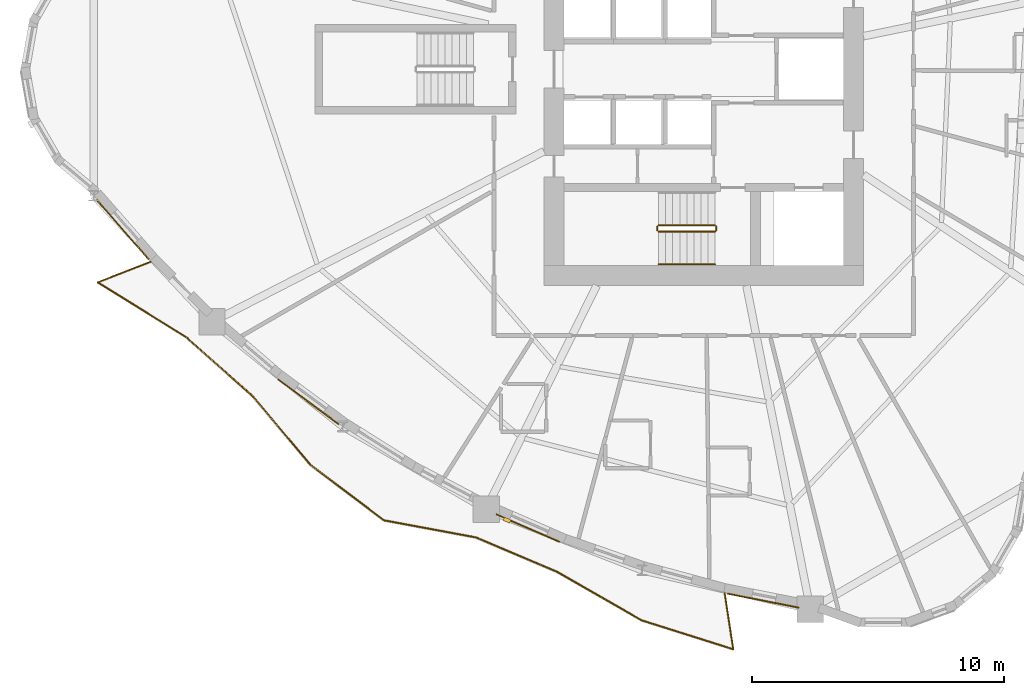
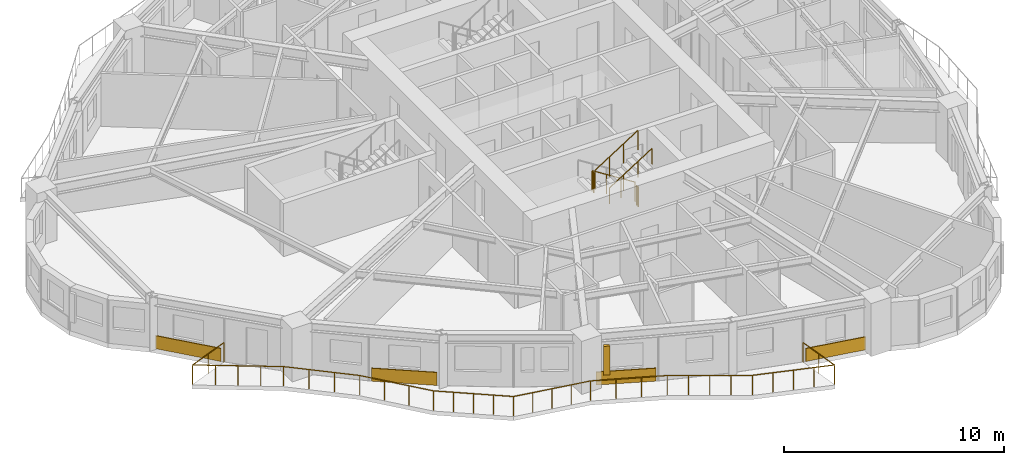
# One storey, part 10 of 13: 6 railings, 4 coverings, 1 shading device.
"""IFC4 building model written with IfcOpenShell, lengths in metres."""

from ifc_helpers import new_model, si_unit, direction, frame, origin, origin_2d, place, context, subcontext, project, spatial, rectangle, circle, extrude, source, transform, mapped, material, layer, layer_set, type_object, element, save


model = new_model("IFC4")

# Units and contexts
model_context = context("Model", 3, precision=1e-05, world=origin(), true_north=direction((0.0, 1.0)))
body_context = subcontext(model_context, "Body", "Model", "MODEL_VIEW")
ifc_project = project(units=[si_unit("LENGTHUNIT", "METRE"), si_unit("AREAUNIT", "SQUARE_METRE"), si_unit("VOLUMEUNIT", "CUBIC_METRE"), si_unit("PLANEANGLEUNIT", "RADIAN"), si_unit("MASSUNIT", "GRAM", prefix="KILO")], contexts=[model_context])

# Site, building, storey
site_placement = place(None, origin())
site = spatial("IfcSite", under=ifc_project, at=site_placement, CompositionType="ELEMENT")
building_placement = place(site_placement, origin())
building = spatial("IfcBuilding", under=site, at=building_placement, Name="Qafzar Sky-Pleat Residences", CompositionType="ELEMENT")
storey_placement = place(building_placement, frame((0.0, 0.0, 49.39990234375)))
storey = spatial("IfcBuildingStorey", under=building, at=storey_placement, Name="L14", CompositionType="ELEMENT", Elevation=49.39990234375)

# Shading device
ifc_material_1 = material(Name="Honed Riyadh limestone solar fin", Category="masonry")
ifc_layer_1 = layer(ifc_material_1, 0.139892578125)
ifc_layer_set_1 = layer_set([ifc_layer_1], Name="Honed Riyadh limestone solar fin")
shading_device_type = type_object("IfcShadingDeviceType", Name="SHD-FIN-STONE", PredefinedType="SHUTTER", material=ifc_layer_set_1)
shared_shape_1 = source(origin(), body_context, "Body", "SweptSolid", [
    extrude(rectangle(XDim=0.139892578125, YDim=0.280029296875, at=origin_2d()), origin(), (0.0, 0.0, 1.0), 1.60009765625),
])
shading_device_placement = place(storey_placement, frame((22.53759765625, 8.084716796875, 0.60009765625), z_axis=(0.0, 0.0, 1.0), x_axis=(-0.398699588189, -0.917081587634, 0.0)))
element("IfcShadingDevice", 1, at=shading_device_placement, inside=storey, type_object=shading_device_type, Name="L14 Limestone Solar Fin 13", PredefinedType="SHUTTER", context=body_context, shape_type="MappedRepresentation", body=[
    mapped(shared_shape_1, transform((0.0, 0.0, 0.0), x_axis=(1.0, 0.0, 0.0), y_axis=(0.0, 1.0, 0.0), z_axis=(0.0, 0.0, 1.0), scale=1.0)),
])

# Covering
ifc_material_2 = material(Name="Honed Riyadh Tuwaiq limestone cladding", Category="masonry")
ifc_layer_2 = layer(ifc_material_2, 0.044921875)
ifc_layer_set_2 = layer_set([ifc_layer_2], Name="Honed Riyadh Tuwaiq limestone cladding")
covering_type = type_object("IfcCoveringType", Name="COV-CLAD-STONE", PredefinedType="CLADDING", material=ifc_layer_set_2)
shared_shape_2 = source(origin(), body_context, "Body", "SweptSolid", [
    extrude(rectangle(XDim=2.994140625, YDim=0.044921875, at=origin_2d()), origin(), (0.0, 0.0, 1.0), 0.719970703125),
])
covering_1_placement = place(storey_placement, frame((14.642578125, 12.789306640625, 0.02001953125), z_axis=(0.0, 0.0, 1.0), x_axis=(0.803807401366, -0.594889621281, 0.0)))
element("IfcCovering", 2, at=covering_1_placement, inside=storey, type_object=covering_type, Name="L14 Riyadh Limestone Spandrel Cladding 10", PredefinedType="CLADDING", context=body_context, shape_type="MappedRepresentation", body=[
    mapped(shared_shape_2, transform((0.0, 0.0, 0.0), x_axis=(1.0, 0.0, 0.0), y_axis=(0.0, 1.0, 0.0), z_axis=(0.0, 0.0, 1.0), scale=1.0)),
])

# Railing
ifc_material_3 = material(Name="Laminated glass and bronze steel balustrade", Category="steel")
railing_type_1 = type_object("IfcRailingType", Name="RAIL-BAL-1100", PredefinedType="BALUSTRADE", material=ifc_material_3)
shared_shape_3 = source(origin(), body_context, "Body", "SweptSolid", [
    extrude(circle(Radius=0.02392578125, at=origin_2d()), frame((0.0, 0.0, 1.076171875), z_axis=(-0.93171786803, -0.363182893862, 0.0), x_axis=(0.363182893862, -0.93171786803, 0.0)), (0.0, 0.0, 1.0), 2.270751953125),
    extrude(circle(Radius=0.02392578125, at=origin_2d()), frame((-2.11572265625, -0.82470703125, 1.076171875), z_axis=(0.850296662272, -0.526303701421, 0.0), x_axis=(0.526303701421, 0.850296662272, 0.0)), (0.0, 0.0, 1.0), 4.127197265625),
    extrude(circle(Radius=0.02392578125, at=origin_2d()), frame((1.3935546875, -2.996826171875, 1.076171875), z_axis=(0.748455111542, -0.663185453706, 0.0), x_axis=(0.663185453706, 0.748455111542, 0.0)), (0.0, 0.0, 1.0), 3.538818359375),
    extrude(circle(Radius=0.02392578125, at=origin_2d()), frame((4.042236328125, -5.34375, 1.076171875), z_axis=(0.643013521092, -0.765854824162, 0.0), x_axis=(0.765854824162, 0.643013521092, 0.0)), (0.0, 0.0, 1.0), 3.5595703125),
    extrude(circle(Radius=0.02392578125, at=origin_2d()), frame((6.3310546875, -8.06982421875, 1.076171875), z_axis=(0.79831114189, -0.602245233053, 0.0), x_axis=(0.602245233053, 0.79831114189, 0.0)), (0.0, 0.0, 1.0), 3.6669921875),
    extrude(circle(Radius=0.02392578125, at=origin_2d()), frame((9.258544921875, -10.2783203125, 1.076171875), z_axis=(0.983148207627, -0.182810289209, 0.0), x_axis=(0.182810289209, 0.983148207627, 0.0)), (0.0, 0.0, 1.0), 3.7099609375),
    extrude(circle(Radius=0.02392578125, at=origin_2d()), frame((12.906005859375, -10.95654296875, 1.076171875), z_axis=(0.920590866575, -0.390528432228, 0.0), x_axis=(0.390528432228, 0.920590866575, 0.0)), (0.0, 0.0, 1.0), 3.513427734375),
    extrude(circle(Radius=0.02392578125, at=origin_2d()), frame((16.140380859375, -12.32861328125, 1.076171875), z_axis=(0.867705978012, -0.497077796449, 0.0), x_axis=(0.497077796449, 0.867705978012, 0.0)), (0.0, 0.0, 1.0), 3.86328125),
    extrude(circle(Radius=0.02392578125, at=origin_2d()), frame((19.49267578125, -14.2490234375, 1.076171875), z_axis=(0.953321364838, -0.301957572093, 0.0), x_axis=(0.301957572093, 0.953321364838, 0.0)), (0.0, 0.0, 1.0), 3.81787109375),
    extrude(circle(Radius=0.02392578125, at=origin_2d()), frame((23.13232421875, -15.40185546875, 1.076171875), z_axis=(-0.151168401391, 0.98850802446, 0.0), x_axis=(-0.98850802446, -0.151168401391, 0.0)), (0.0, 0.0, 1.0), 2.270751953125),
    extrude(circle(Radius=0.02099609375, at=origin_2d()), origin(), (0.0, 0.0, 1.0), 1.052001953125),
    extrude(circle(Radius=0.02099609375, at=origin_2d()), frame((-1.057861328125, -0.412353515625, 0.0)), (0.0, 0.0, 1.0), 1.052001953125),
    extrude(circle(Radius=0.02099609375, at=origin_2d()), frame((-2.11572265625, -0.82470703125, 0.0)), (0.0, 0.0, 1.0), 1.052001953125),
    extrude(circle(Radius=0.02099609375, at=origin_2d()), frame((-1.23828125, -1.36767578125, 0.0)), (0.0, 0.0, 1.0), 1.052001953125),
    extrude(circle(Radius=0.02099609375, at=origin_2d()), frame((-0.361083984375, -1.91064453125, 0.0)), (0.0, 0.0, 1.0), 1.052001953125),
    extrude(circle(Radius=0.02099609375, at=origin_2d()), frame((0.51611328125, -2.453857421875, 0.0)), (0.0, 0.0, 1.0), 1.052001953125),
    extrude(circle(Radius=0.02099609375, at=origin_2d()), frame((1.3935546875, -2.996826171875, 0.0)), (0.0, 0.0, 1.0), 1.052001953125),
    extrude(circle(Radius=0.02099609375, at=origin_2d()), frame((2.2763671875, -3.779052734375, 0.0)), (0.0, 0.0, 1.0), 1.052001953125),
    extrude(circle(Radius=0.02099609375, at=origin_2d()), frame((3.159423828125, -4.5615234375, 0.0)), (0.0, 0.0, 1.0), 1.052001953125),
    extrude(circle(Radius=0.02099609375, at=origin_2d()), frame((4.042236328125, -5.34375, 0.0)), (0.0, 0.0, 1.0), 1.052001953125),
    extrude(circle(Radius=0.02099609375, at=origin_2d()), frame((4.80517578125, -6.25244140625, 0.0)), (0.0, 0.0, 1.0), 1.052001953125),
    extrude(circle(Radius=0.02099609375, at=origin_2d()), frame((5.568115234375, -7.1611328125, 0.0)), (0.0, 0.0, 1.0), 1.052001953125),
    extrude(circle(Radius=0.02099609375, at=origin_2d()), frame((6.3310546875, -8.06982421875, 0.0)), (0.0, 0.0, 1.0), 1.052001953125),
    extrude(circle(Radius=0.02099609375, at=origin_2d()), frame((7.06298828125, -8.6220703125, 0.0)), (0.0, 0.0, 1.0), 1.052001953125),
    extrude(circle(Radius=0.02099609375, at=origin_2d()), frame((7.794921875, -9.174072265625, 0.0)), (0.0, 0.0, 1.0), 1.052001953125),
    extrude(circle(Radius=0.02099609375, at=origin_2d()), frame((8.526611328125, -9.72607421875, 0.0)), (0.0, 0.0, 1.0), 1.052001953125),
    extrude(circle(Radius=0.02099609375, at=origin_2d()), frame((9.258544921875, -10.2783203125, 0.0)), (0.0, 0.0, 1.0), 1.052001953125),
    extrude(circle(Radius=0.02099609375, at=origin_2d()), frame((10.17041015625, -10.44775390625, 0.0)), (0.0, 0.0, 1.0), 1.052001953125),
    extrude(circle(Radius=0.02099609375, at=origin_2d()), frame((11.082275390625, -10.617431640625, 0.0)), (0.0, 0.0, 1.0), 1.052001953125),
    extrude(circle(Radius=0.02099609375, at=origin_2d()), frame((11.994140625, -10.787109375, 0.0)), (0.0, 0.0, 1.0), 1.052001953125),
    extrude(circle(Radius=0.02099609375, at=origin_2d()), frame((12.906005859375, -10.95654296875, 0.0)), (0.0, 0.0, 1.0), 1.052001953125),
    extrude(circle(Radius=0.02099609375, at=origin_2d()), frame((13.984130859375, -11.413818359375, 0.0)), (0.0, 0.0, 1.0), 1.052001953125),
    extrude(circle(Radius=0.02099609375, at=origin_2d()), frame((15.062255859375, -11.871337890625, 0.0)), (0.0, 0.0, 1.0), 1.052001953125),
    extrude(circle(Radius=0.02099609375, at=origin_2d()), frame((16.140380859375, -12.32861328125, 0.0)), (0.0, 0.0, 1.0), 1.052001953125),
    extrude(circle(Radius=0.02099609375, at=origin_2d()), frame((16.978515625, -12.80859375, 0.0)), (0.0, 0.0, 1.0), 1.052001953125),
    extrude(circle(Radius=0.02099609375, at=origin_2d()), frame((17.81640625, -13.288818359375, 0.0)), (0.0, 0.0, 1.0), 1.052001953125),
    extrude(circle(Radius=0.02099609375, at=origin_2d()), frame((18.654541015625, -13.76904296875, 0.0)), (0.0, 0.0, 1.0), 1.052001953125),
    extrude(circle(Radius=0.02099609375, at=origin_2d()), frame((19.49267578125, -14.2490234375, 0.0)), (0.0, 0.0, 1.0), 1.052001953125),
    extrude(circle(Radius=0.02099609375, at=origin_2d()), frame((20.402587890625, -14.537109375, 0.0)), (0.0, 0.0, 1.0), 1.052001953125),
    extrude(circle(Radius=0.02099609375, at=origin_2d()), frame((21.3125, -14.825439453125, 0.0)), (0.0, 0.0, 1.0), 1.052001953125),
    extrude(circle(Radius=0.02099609375, at=origin_2d()), frame((22.222412109375, -15.11376953125, 0.0)), (0.0, 0.0, 1.0), 1.052001953125),
    extrude(circle(Radius=0.02099609375, at=origin_2d()), frame((23.13232421875, -15.40185546875, 0.0)), (0.0, 0.0, 1.0), 1.052001953125),
    extrude(circle(Radius=0.02099609375, at=origin_2d()), frame((22.960693359375, -14.279541015625, 0.0)), (0.0, 0.0, 1.0), 1.052001953125),
    extrude(circle(Radius=0.02099609375, at=origin_2d()), frame((22.7890625, -13.1572265625, 0.0)), (0.0, 0.0, 1.0), 1.052001953125),
])
railing_1_placement = place(storey_placement, frame((8.3935546875, 18.355224609375, 0.0)))
element("IfcRailing", 3, at=railing_1_placement, inside=storey, type_object=railing_type_1, Name="L14 Pleated Balcony 3 Balustrade", PredefinedType="BALUSTRADE", context=body_context, shape_type="MappedRepresentation", body=[
    mapped(shared_shape_3, transform((0.0, 0.0, 0.0), x_axis=(1.0, 0.0, 0.0), y_axis=(0.0, 1.0, 0.0), z_axis=(0.0, 0.0, 1.0), scale=1.0)),
])

# Coverings
shared_shape_4 = source(origin(), body_context, "Body", "SweptSolid", [
    extrude(rectangle(XDim=3.14306640625, YDim=0.044921875, at=origin_2d()), origin(), (0.0, 0.0, 1.0), 0.719970703125),
])
covering_2_placement = place(storey_placement, frame((7.264892578125, 19.632080078125, 0.02001953125), z_axis=(0.0, 0.0, 1.0), x_axis=(0.657622311353, -0.753347791933, 0.0)))
element("IfcCovering", 4, at=covering_2_placement, inside=storey, type_object=covering_type, Name="L14 Riyadh Limestone Spandrel Cladding 7", PredefinedType="CLADDING", context=body_context, shape_type="MappedRepresentation", body=[
    mapped(shared_shape_4, transform((0.0, 0.0, 0.0), x_axis=(1.0, 0.0, 0.0), y_axis=(0.0, 1.0, 0.0), z_axis=(0.0, 0.0, 1.0), scale=1.0)),
])
shared_shape_5 = source(origin(), body_context, "Body", "SweptSolid", [
    extrude(rectangle(XDim=2.7421875, YDim=0.044921875, at=origin_2d()), origin(), (0.0, 0.0, 1.0), 0.719970703125),
])
covering_3_placement = place(storey_placement, frame((23.3662109375, 7.77099609375, 0.02001953125), z_axis=(0.0, 0.0, 1.0), x_axis=(0.917073187075, -0.398718910448, 0.0)))
element("IfcCovering", 5, at=covering_3_placement, inside=storey, type_object=covering_type, Name="L14 Riyadh Limestone Spandrel Cladding 13", PredefinedType="CLADDING", context=body_context, shape_type="MappedRepresentation", body=[
    mapped(shared_shape_5, transform((0.0, 0.0, 0.0), x_axis=(1.0, 0.0, 0.0), y_axis=(0.0, 1.0, 0.0), z_axis=(0.0, 0.0, 1.0), scale=1.0)),
])
shared_shape_6 = source(origin(), body_context, "Body", "SweptSolid", [
    extrude(rectangle(XDim=2.89111328125, YDim=0.044921875, at=origin_2d()), origin(), (0.0, 0.0, 1.0), 0.719970703125),
])
covering_4_placement = place(storey_placement, frame((32.71533203125, 4.885986328125, 0.02001953125), z_axis=(0.0, 0.0, 1.0), x_axis=(0.981234834966, -0.192816489568, 0.0)))
element("IfcCovering", 6, at=covering_4_placement, inside=storey, type_object=covering_type, Name="L14 Riyadh Limestone Spandrel Cladding 16", PredefinedType="CLADDING", context=body_context, shape_type="MappedRepresentation", body=[
    mapped(shared_shape_6, transform((0.0, 0.0, 0.0), x_axis=(1.0, 0.0, 0.0), y_axis=(0.0, 1.0, 0.0), z_axis=(0.0, 0.0, 1.0), scale=1.0)),
])

# Railings
ifc_material_4 = material(Name="Painted Steel S355 stair guardrail", Category="steel")
railing_type_2 = type_object("IfcRailingType", Name="RAIL-STAIR-GUARD", PredefinedType="GUARDRAIL", material=ifc_material_4)
shared_shape_7 = source(origin(), body_context, "Body", "SweptSolid", [
    extrude(circle(Radius=0.02392578125, at=origin_2d()), frame((0.0, 0.0, 1.076171875), z_axis=(0.0, -1.0, 0.0), x_axis=(1.0, 0.0, 0.0)), (0.0, 0.0, 1.0), 0.14990234375),
    extrude(circle(Radius=0.02099609375, at=origin_2d()), origin(), (0.0, 0.0, 1.0), 1.052001953125),
    extrude(circle(Radius=0.02099609375, at=origin_2d()), frame((0.0, -0.14990234375, 0.0)), (0.0, 0.0, 1.0), 1.052001953125),
])
for number, where, name in (
    (7, (28.510009765625, 19.75, 1.60009765625), "L14 ST1 stair guard 2"),
    (8, (30.85009765625, 19.75, 0.0), "L14 ST1 stair guard 4"),
):
    element("IfcRailing", number, at=place(storey_placement, frame(where)), inside=storey, type_object=railing_type_2, Name=name, PredefinedType="GUARDRAIL", context=body_context, shape_type="MappedRepresentation", body=[
        mapped(shared_shape_7, transform((0.0, 0.0, 0.0), x_axis=(1.0, 0.0, 0.0), y_axis=(0.0, 1.0, 0.0), z_axis=(0.0, 0.0, 1.0), scale=1.0)),
    ])
shared_shape_8 = source(origin(), body_context, "Body", "SweptSolid", [
    extrude(circle(Radius=0.02392578125, at=origin_2d()), frame((0.0, 0.0, 1.076171875), z_axis=(-0.8442293374, 0.0, 0.53598211339), x_axis=(0.0, -1.0, 0.0)), (0.0, 0.0, 1.0), 2.6533203125),
    extrude(circle(Radius=0.02099609375, at=origin_2d()), origin(), (0.0, 0.0, 1.0), 1.052001953125),
    extrude(circle(Radius=0.02099609375, at=origin_2d()), frame((-0.74658203125, 0.0, 0.47412109375)), (0.0, 0.0, 1.0), 1.052001953125),
    extrude(circle(Radius=0.02099609375, at=origin_2d()), frame((-1.493408203125, 0.0, 0.947998046875)), (0.0, 0.0, 1.0), 1.052001953125),
    extrude(circle(Radius=0.02099609375, at=origin_2d()), frame((-2.239990234375, 0.0, 1.422119140625)), (0.0, 0.0, 1.0), 1.052001953125),
])
railing_2_placement = place(storey_placement, frame((30.800048828125, 19.800048828125, 0.177978515625)))
element("IfcRailing", 9, at=railing_2_placement, inside=storey, type_object=railing_type_2, Name="L14 ST1 stair guard 1", PredefinedType="GUARDRAIL", context=body_context, shape_type="MappedRepresentation", body=[
    mapped(shared_shape_8, transform((0.0, 0.0, 0.0), x_axis=(1.0, 0.0, 0.0), y_axis=(0.0, 1.0, 0.0), z_axis=(0.0, 0.0, 1.0), scale=1.0)),
])
shared_shape_9 = source(origin(), body_context, "Body", "SweptSolid", [
    extrude(circle(Radius=0.02392578125, at=origin_2d()), frame((0.0, 0.0, 1.076171875), z_axis=(0.84418770128, 0.0, 0.536047689118), x_axis=(0.0, 1.0, 0.0)), (0.0, 0.0, 1.0), 2.6533203125),
    extrude(circle(Radius=0.02099609375, at=origin_2d()), origin(), (0.0, 0.0, 1.0), 1.052001953125),
    extrude(circle(Radius=0.02099609375, at=origin_2d()), frame((0.74658203125, 0.0, 0.47412109375)), (0.0, 0.0, 1.0), 1.052001953125),
    extrude(circle(Radius=0.02099609375, at=origin_2d()), frame((1.493408203125, 0.0, 0.9482421875)), (0.0, 0.0, 1.0), 1.052001953125),
    extrude(circle(Radius=0.02099609375, at=origin_2d()), frame((2.239990234375, 0.0, 1.42236328125)), (0.0, 0.0, 1.0), 1.052001953125),
])
railing_3_placement = place(storey_placement, frame((28.56005859375, 19.550048828125, 1.77783203125)))
element("IfcRailing", 10, at=railing_3_placement, inside=storey, type_object=railing_type_2, Name="L14 ST1 stair guard 3", PredefinedType="GUARDRAIL", context=body_context, shape_type="MappedRepresentation", body=[
    mapped(shared_shape_9, transform((0.0, 0.0, 0.0), x_axis=(1.0, 0.0, 0.0), y_axis=(0.0, 1.0, 0.0), z_axis=(0.0, 0.0, 1.0), scale=1.0)),
])
ifc_material_5 = material(Name="Brushed stainless steel handrail", Category="steel")
railing_type_3 = type_object("IfcRailingType", Name="RAIL-STAIR-HAND", PredefinedType="HANDRAIL", material=ifc_material_5)
shared_shape_10 = source(origin(), body_context, "Body", "SweptSolid", [
    extrude(circle(Radius=0.02392578125, at=origin_2d()), frame((0.0, 0.0, 0.8759765625), z_axis=(0.84418770128, 0.0, 0.536047689118), x_axis=(0.0, 1.0, 0.0)), (0.0, 0.0, 1.0), 2.6533203125),
    extrude(circle(Radius=0.02099609375, at=origin_2d()), origin(), (0.0, 0.0, 1.0), 0.851806640625),
    extrude(circle(Radius=0.02099609375, at=origin_2d()), frame((0.74658203125, 0.0, 0.47412109375)), (0.0, 0.0, 1.0), 0.851806640625),
    extrude(circle(Radius=0.02099609375, at=origin_2d()), frame((1.493408203125, 0.0, 0.9482421875)), (0.0, 0.0, 1.0), 0.851806640625),
    extrude(circle(Radius=0.02099609375, at=origin_2d()), frame((2.239990234375, 0.0, 1.42236328125)), (0.0, 0.0, 1.0), 0.851806640625),
])
railing_4_placement = place(storey_placement, frame((28.56005859375, 18.25, 1.77783203125)))
element("IfcRailing", 11, at=railing_4_placement, inside=storey, type_object=railing_type_3, Name="L14 ST1 stair handrail 2", PredefinedType="HANDRAIL", context=body_context, shape_type="MappedRepresentation", body=[
    mapped(shared_shape_10, transform((0.0, 0.0, 0.0), x_axis=(1.0, 0.0, 0.0), y_axis=(0.0, 1.0, 0.0), z_axis=(0.0, 0.0, 1.0), scale=1.0)),
])

save(model, "model.ifc")
